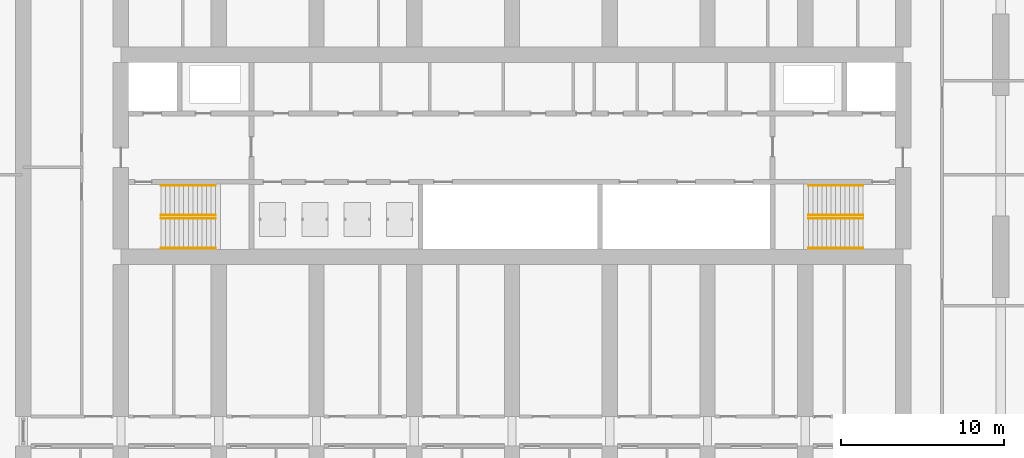
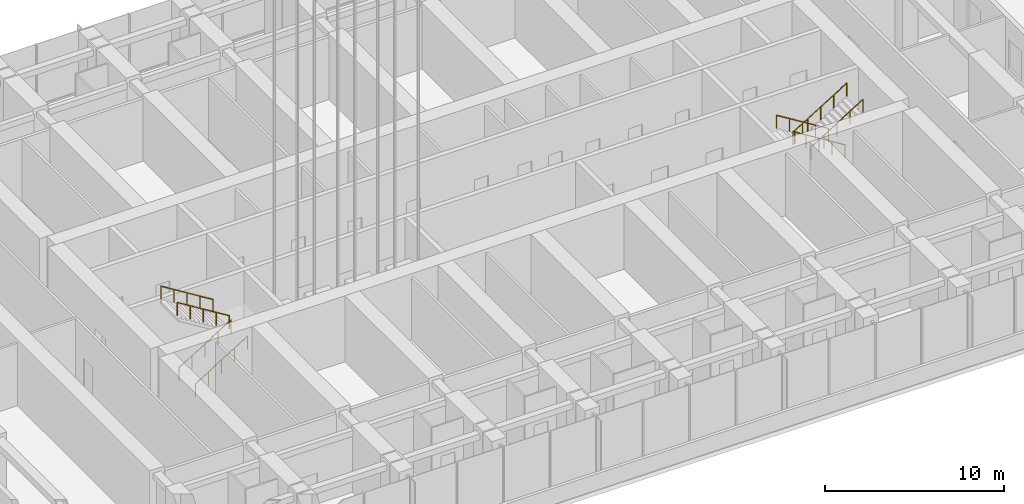
# One storey, part 22 of 31: 8 railings.
"""IFC4 building model written with IfcOpenShell, lengths in metres."""

from ifc_helpers import new_model, si_unit, direction, frame, origin, origin_2d, place, context, subcontext, project, spatial, circle, extrude, material, type_object, element, save


model = new_model("IFC4")

# Units and contexts
model_context = context("Model", 3, precision=1e-05, world=origin(), true_north=direction((0.0, 1.0)))
body_context = subcontext(model_context, "Body", "Model", "MODEL_VIEW")
ifc_project = project(units=[si_unit("LENGTHUNIT", "METRE"), si_unit("AREAUNIT", "SQUARE_METRE"), si_unit("VOLUMEUNIT", "CUBIC_METRE"), si_unit("PLANEANGLEUNIT", "RADIAN"), si_unit("MASSUNIT", "GRAM", prefix="KILO")], contexts=[model_context])

# Site, building, storey
site_placement = place(None, origin())
site = spatial("IfcSite", under=ifc_project, at=site_placement, CompositionType="ELEMENT")
building_placement = place(site_placement, origin())
building = spatial("IfcBuilding", under=site, at=building_placement, Name="Orbita Commons", CompositionType="ELEMENT")
storey_placement = place(building_placement, frame((0.0, 0.0, 76.14990234375)))
storey = spatial("IfcBuildingStorey", under=building, at=storey_placement, Name="L18", CompositionType="ELEMENT", Elevation=76.14990234375)

# Railings
ifc_material = material(Name="Steel tube, painted", Category="steel")
railing_type = type_object("IfcRailingType", Name="Stair handrail steel tube 900", PredefinedType="HANDRAIL", material=ifc_material)
for number, where, name in (
    (1, (20.449951171875, 28.1650390625, 0.173095703125), "Stair S1 handrail L18 flight 1"),
    (2, (20.449951171875, 26.3349609375, 0.173095703125), "Stair S1 handrail L18 flight 1"),
):
    element("IfcRailing", number, at=place(storey_placement, frame(where)), inside=storey, type_object=railing_type, Name=name, PredefinedType="HANDRAIL", context=body_context, shape_type="SweptSolid", body=[
        extrude(circle(Radius=0.02099609375, at=origin_2d()), frame((0.0, 0.0, 0.87890625), z_axis=(0.850623216509, 0.0, 0.525775754039), x_axis=(0.0, 1.0, 0.0)), (0.0, 0.0, 1.0), 3.9501953125),
        extrude(circle(Radius=0.02001953125, at=origin_2d()), origin(), (0.0, 0.0, 1.0), 0.85791015625),
        extrude(circle(Radius=0.02001953125, at=origin_2d()), frame((0.840087890625, 0.0, 0.519287109375)), (0.0, 0.0, 1.0), 0.85791015625),
        extrude(circle(Radius=0.02001953125, at=origin_2d()), frame((1.68017578125, 0.0, 1.03857421875)), (0.0, 0.0, 1.0), 0.85791015625),
        extrude(circle(Radius=0.02001953125, at=origin_2d()), frame((2.52001953125, 0.0, 1.5576171875)), (0.0, 0.0, 1.0), 0.85791015625),
        extrude(circle(Radius=0.02001953125, at=origin_2d()), frame((3.360107421875, 0.0, 2.076904296875)), (0.0, 0.0, 1.0), 0.85791015625),
    ])
for number, where, name in (
    (3, (23.81005859375, 28.360107421875, 2.423095703125), "Stair S1 handrail L18 flight 2"),
    (4, (23.81005859375, 30.18994140625, 2.423095703125), "Stair S1 handrail L18 flight 2"),
    (5, (63.550048828125, 28.360107421875, 0.173095703125), "Stair S2 handrail L18 flight 1"),
    (6, (63.550048828125, 30.18994140625, 0.173095703125), "Stair S2 handrail L18 flight 1"),
):
    element("IfcRailing", number, at=place(storey_placement, frame(where)), inside=storey, type_object=railing_type, Name=name, PredefinedType="HANDRAIL", context=body_context, shape_type="SweptSolid", body=[
        extrude(circle(Radius=0.02099609375, at=origin_2d()), frame((0.0, 0.0, 0.87890625), z_axis=(-0.850623216509, 0.0, 0.525775754039), x_axis=(0.0, -1.0, 0.0)), (0.0, 0.0, 1.0), 3.9501953125),
        extrude(circle(Radius=0.02001953125, at=origin_2d()), origin(), (0.0, 0.0, 1.0), 0.85791015625),
        extrude(circle(Radius=0.02001953125, at=origin_2d()), frame((-0.840087890625, 0.0, 0.519287109375)), (0.0, 0.0, 1.0), 0.85791015625),
        extrude(circle(Radius=0.02001953125, at=origin_2d()), frame((-1.68017578125, 0.0, 1.03857421875)), (0.0, 0.0, 1.0), 0.85791015625),
        extrude(circle(Radius=0.02001953125, at=origin_2d()), frame((-2.52001953125, 0.0, 1.5576171875)), (0.0, 0.0, 1.0), 0.85791015625),
        extrude(circle(Radius=0.02001953125, at=origin_2d()), frame((-3.360107421875, 0.0, 2.076904296875)), (0.0, 0.0, 1.0), 0.85791015625),
    ])
for number, where, name in (
    (7, (60.18994140625, 28.1650390625, 2.423095703125), "Stair S2 handrail L18 flight 2"),
    (8, (60.18994140625, 26.3349609375, 2.423095703125), "Stair S2 handrail L18 flight 2"),
):
    element("IfcRailing", number, at=place(storey_placement, frame(where)), inside=storey, type_object=railing_type, Name=name, PredefinedType="HANDRAIL", context=body_context, shape_type="SweptSolid", body=[
        extrude(circle(Radius=0.02099609375, at=origin_2d()), frame((0.0, 0.0, 0.87890625), z_axis=(0.850623216509, 0.0, 0.525775754039), x_axis=(0.0, 1.0, 0.0)), (0.0, 0.0, 1.0), 3.9501953125),
        extrude(circle(Radius=0.02001953125, at=origin_2d()), origin(), (0.0, 0.0, 1.0), 0.85791015625),
        extrude(circle(Radius=0.02001953125, at=origin_2d()), frame((0.840087890625, 0.0, 0.519287109375)), (0.0, 0.0, 1.0), 0.85791015625),
        extrude(circle(Radius=0.02001953125, at=origin_2d()), frame((1.68017578125, 0.0, 1.03857421875)), (0.0, 0.0, 1.0), 0.85791015625),
        extrude(circle(Radius=0.02001953125, at=origin_2d()), frame((2.52001953125, 0.0, 1.5576171875)), (0.0, 0.0, 1.0), 0.85791015625),
        extrude(circle(Radius=0.02001953125, at=origin_2d()), frame((3.360107421875, 0.0, 2.076904296875)), (0.0, 0.0, 1.0), 0.85791015625),
    ])

save(model, "model.ifc")
